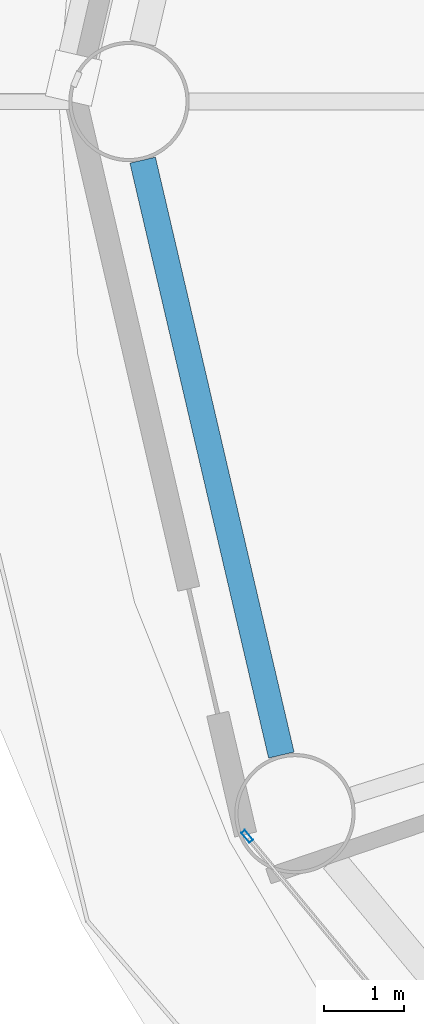
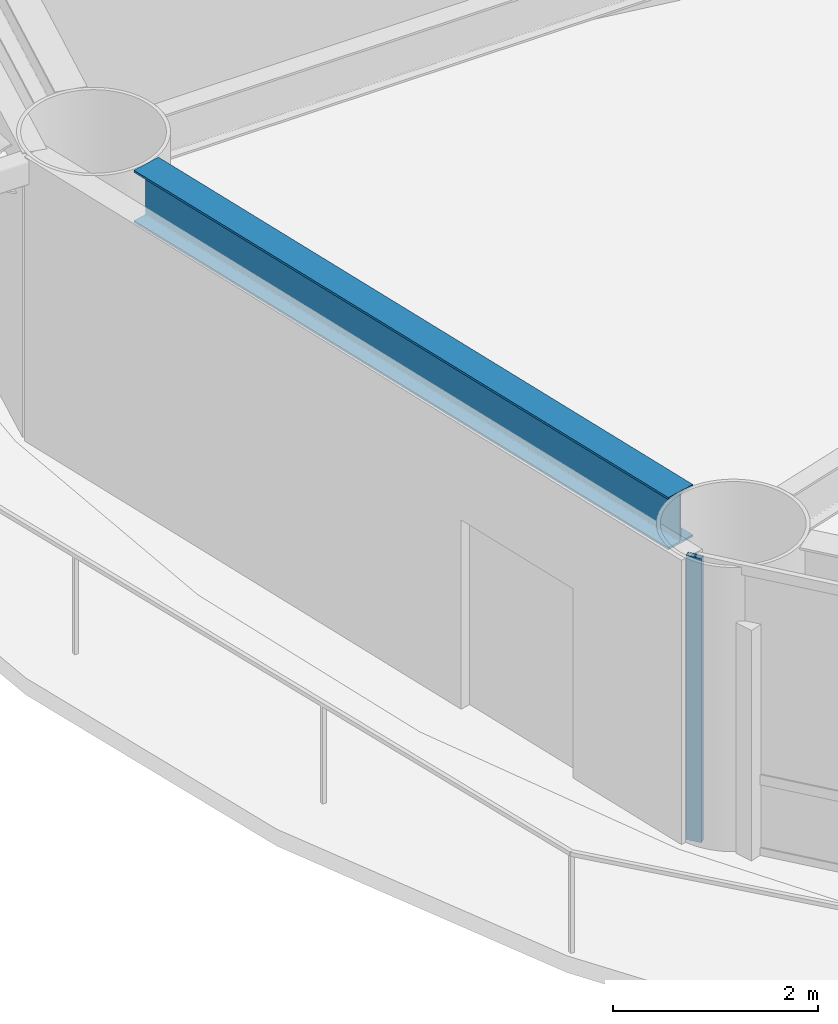
# One storey, part 4 of 28: 1 beam, 1 member, 1 element without a shape of its own.
"""IFC4 building model written with IfcOpenShell, lengths in metres."""

from ifc_helpers import new_model, si_unit, direction, frame, origin, origin_2d, place, context, subcontext, project, spatial, hollow_rectangle, i_section, extrude, material, layer, layer_set, material_profile, profile_set, type_object, element, aggregate, save


model = new_model("IFC4")

# Units and contexts
model_context = context("Model", 3, precision=1e-05, world=origin(), true_north=direction((0.0, 1.0)))
body_context = subcontext(model_context, "Body", "Model", "MODEL_VIEW")
ifc_project = project(units=[si_unit("LENGTHUNIT", "METRE"), si_unit("AREAUNIT", "SQUARE_METRE"), si_unit("VOLUMEUNIT", "CUBIC_METRE"), si_unit("PLANEANGLEUNIT", "RADIAN"), si_unit("MASSUNIT", "GRAM", prefix="KILO")], contexts=[model_context])

# Site, building, storey
site_placement = place(None, origin())
site = spatial("IfcSite", under=ifc_project, at=site_placement, CompositionType="ELEMENT")
building_placement = place(site_placement, origin())
building = spatial("IfcBuilding", under=site, at=building_placement, Name="Sarneth Arch Tower", CompositionType="ELEMENT")
storey_placement = place(building_placement, frame((0.0, 0.0, 31.800048828125)))
storey = spatial("IfcBuildingStorey", under=building, at=storey_placement, Name="L06", CompositionType="ELEMENT", Elevation=31.800048828125)

# Beam
ifc_material_1 = material(Name="Steel S355", Category="steel")
ifc_material_profile_1 = material_profile(ifc_material_1, i_section(OverallWidth=0.326904296875, OverallDepth=0.6220703125, WebThickness=0.015380859375, FlangeThickness=0.0244140625, FilletRadius=0.01904296875, at=origin_2d()), Name="W610x195")
ifc_profile_set_1 = profile_set([ifc_material_profile_1], Name="Steel S355")
beam_type = type_object("IfcBeamType", Name="BM-SPAN-610A", PredefinedType="SPANDREL", material=ifc_profile_set_1)
beam_placement = place(storey_placement, frame((18.135498046875, 41.26953125, 3.06884765625), z_axis=(0.226982354826, -0.973898870827, 0.0), x_axis=(0.973898870827, 0.226982354826, 0.0)))
element("IfcBeam", 1, at=beam_placement, inside=storey, type_object=beam_type, Name="L06 Perimeter spandrel beam 09", PredefinedType="SPANDREL", context=body_context, shape_type="SweptSolid", body=[
    extrude(i_section(OverallWidth=0.326904296875, OverallDepth=0.6220703125, WebThickness=0.015380859375, FlangeThickness=0.0244140625, FilletRadius=0.01904296875, at=origin_2d()), origin(), (0.0, 0.0, 1.0), 7.6162109375),
])

# Curtain wall, member
ifc_material_2 = material(Name="Anodised aluminium Type AA25 and solar-control low-e laminated IGU", Category="aluminium")
ifc_layer = layer(ifc_material_2, 0.159912109375)
ifc_layer_set = layer_set([ifc_layer], Name="Anodised aluminium Type AA25 and solar-control low-e laminated IGU")
curtain_wall_type = type_object("IfcCurtainWallType", Name="CW-HOTEL-LOW", PredefinedType="NOTDEFINED", material=ifc_layer_set)
curtain_wall_placement = place(storey_placement, origin())
curtain_wall = element("IfcCurtainWall", 2, at=curtain_wall_placement, inside=storey, type_object=curtain_wall_type, Name="L06 Unitised curtain wall facet 10", PredefinedType="NOTDEFINED")
ifc_material_3 = material(Name="Anodised Aluminium 6063-T6", Category="aluminium")
ifc_material_profile_2 = material_profile(ifc_material_3, hollow_rectangle(XDim=0.06005859375, YDim=0.159912109375, WallThickness=0.00390625, at=origin_2d()), Name="AL-MULL-160x60x4")
ifc_profile_set_2 = profile_set([ifc_material_profile_2], Name="Anodised Aluminium 6063-T6")
member_type = type_object("IfcMemberType", Name="CW-MULLION", PredefinedType="MULLION", material=ifc_profile_set_2)
member_placement = place(storey_placement, frame((19.438232421875, 32.83837890625, 0.0), z_axis=(0.0, 0.0, 1.0), x_axis=(0.770622960278, 0.637291340827, 0.0)))
member = element("IfcMember", 3, at=member_placement, type_object=member_type, Name="CW-SYS-3 mullion 1", PredefinedType="MULLION", context=body_context, shape_type="SweptSolid", body=[
    extrude(hollow_rectangle(XDim=0.06005859375, YDim=0.159912109375, WallThickness=0.00390625, at=origin_2d()), origin(), (0.0, 0.0, 1.0), 3.3798828125),
])
aggregate(curtain_wall, [member])

save(model, "model.ifc")
